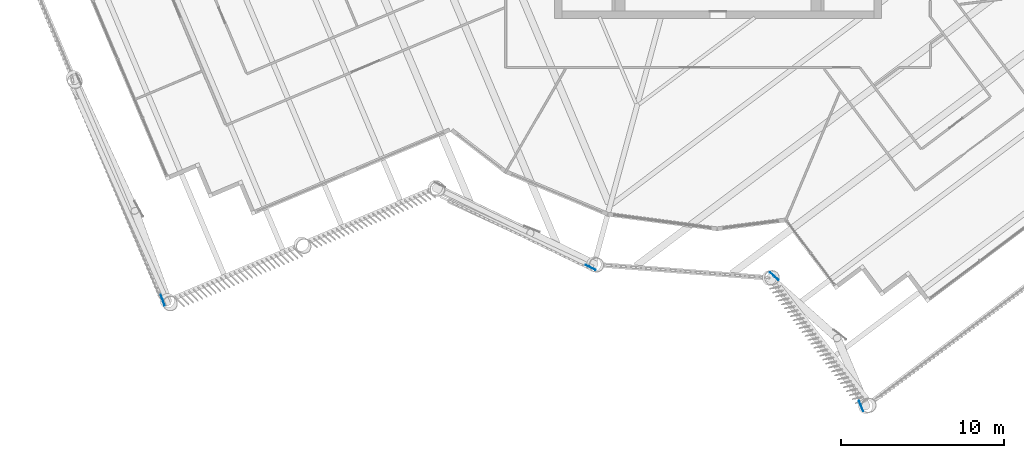
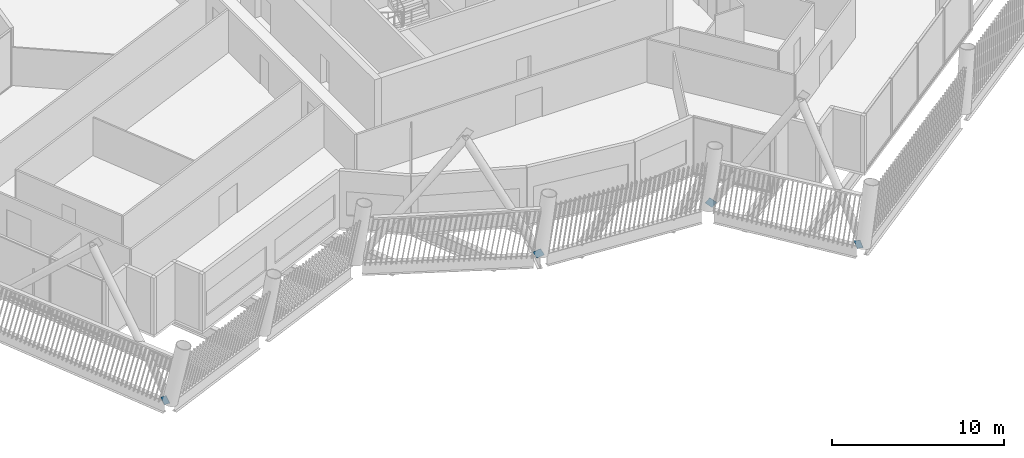
# One storey, part 25 of 35: 4 discrete accessories.
"""IFC4 building model written with IfcOpenShell, lengths in metres."""

from ifc_helpers import new_model, si_unit, direction, frame, origin, origin_2d, place, context, subcontext, project, spatial, rectangle, extrude, material, material_profile, profile_set, type_object, element, save


model = new_model("IFC4")

# Units and contexts
model_context = context("Model", 3, precision=1e-05, world=origin(), true_north=direction((0.0, 1.0)))
body_context = subcontext(model_context, "Body", "Model", "MODEL_VIEW")
ifc_project = project(units=[si_unit("LENGTHUNIT", "METRE"), si_unit("AREAUNIT", "SQUARE_METRE"), si_unit("VOLUMEUNIT", "CUBIC_METRE"), si_unit("PLANEANGLEUNIT", "RADIAN"), si_unit("MASSUNIT", "GRAM", prefix="KILO")], contexts=[model_context])

# Site, building, storey
site_placement = place(None, origin())
site = spatial("IfcSite", under=ifc_project, at=site_placement, CompositionType="ELEMENT")
building_placement = place(site_placement, origin())
building = spatial("IfcBuilding", under=site, at=building_placement, Name="Tarsis Ring Headquarters", CompositionType="ELEMENT")
storey_placement = place(building_placement, frame((0.0, 0.0, 377.60009765625)))
storey = spatial("IfcBuildingStorey", under=building, at=storey_placement, Name="L89", CompositionType="ELEMENT", Elevation=377.60009765625)

# Discrete accessories
ifc_material = material(Name="Structural steel S355", Category="steel")
ifc_material_profile = material_profile(ifc_material, rectangle(XDim=0.02490234375, YDim=0.5, at=origin_2d()), Name="PL 25x500")
ifc_profile_set = profile_set([ifc_material_profile], Name="Structural steel S355")
discrete_accessory_type = type_object("IfcDiscreteAccessoryType", Name="Gusset plate Exo brace 25", PredefinedType="BRACKET", material=ifc_profile_set)
discrete_accessory_1_placement = place(storey_placement, frame((3.339599609375, -28.6767578125, 0.0), z_axis=(0.410665239784, -0.366229405277, 0.835003044032), x_axis=(0.665574770707, 0.74633117622, 0.0)))
element("IfcDiscreteAccessory", 1, at=discrete_accessory_1_placement, inside=storey, type_object=discrete_accessory_type, Name="Gusset plate GP5", PredefinedType="BRACKET", context=body_context, shape_type="SweptSolid", body=[
    extrude(rectangle(XDim=0.02490234375, YDim=0.5, at=origin_2d()), origin(), (0.0, 0.0, 1.0), 0.5),
])
discrete_accessory_2_placement = place(storey_placement, frame((8.801025390625, -36.822021484375, 0.0), z_axis=(-0.184128790394, 0.436634319926, 0.880594719045), x_axis=(-0.921421825792, -0.388563790071, 0.0)))
element("IfcDiscreteAccessory", 2, at=discrete_accessory_2_placement, inside=storey, type_object=discrete_accessory_type, Name="Gusset plate GP5", PredefinedType="BRACKET", context=body_context, shape_type="SweptSolid", body=[
    extrude(rectangle(XDim=0.02490234375, YDim=0.5, at=origin_2d()), origin(), (0.0, 0.0, 1.0), 0.499755859375),
])
discrete_accessory_3_placement = place(storey_placement, frame((-33.9287109375, -30.367431640625, 0.0), z_axis=(-0.195332503225, 0.538141046384, 0.819908182286), x_axis=(-0.939992501788, -0.341195100467, 0.0)))
element("IfcDiscreteAccessory", 3, at=discrete_accessory_3_placement, inside=storey, type_object=discrete_accessory_type, Name="Gusset plate GP5", PredefinedType="BRACKET", context=body_context, shape_type="SweptSolid", body=[
    extrude(rectangle(XDim=0.02490234375, YDim=0.5, at=origin_2d()), origin(), (0.0, 0.0, 1.0), 0.5),
])
discrete_accessory_4_placement = place(storey_placement, frame((-7.694091796875, -28.2822265625, 0.0), z_axis=(-0.413228571798, 0.201729787414, 0.888001824502), x_axis=(-0.438695674275, -0.89863569113, 0.0)))
element("IfcDiscreteAccessory", 4, at=discrete_accessory_4_placement, inside=storey, type_object=discrete_accessory_type, Name="Gusset plate GP5", PredefinedType="BRACKET", context=body_context, shape_type="SweptSolid", body=[
    extrude(rectangle(XDim=0.02490234375, YDim=0.5, at=origin_2d()), origin(), (0.0, 0.0, 1.0), 0.499755859375),
])

save(model, "model.ifc")
